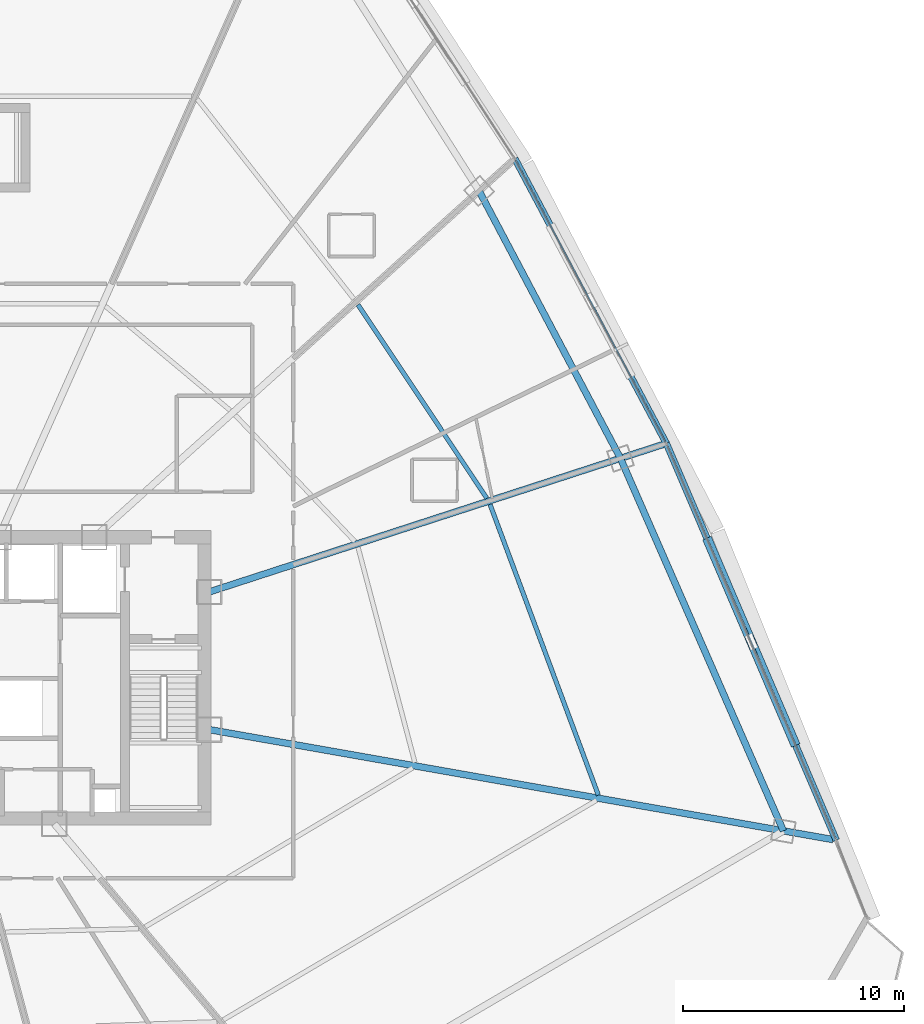
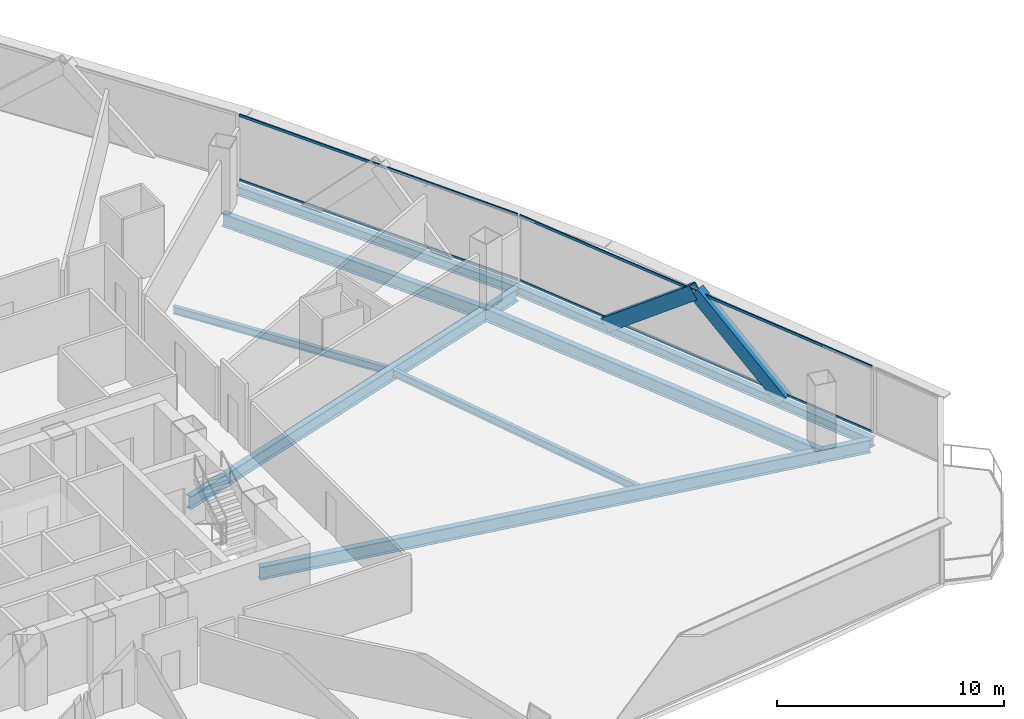
# One storey, part 23 of 37: 8 beams, 6 members, 2 elements without a shape of their own.
"""IFC4 building model written with IfcOpenShell, lengths in metres."""

from ifc_helpers import new_model, si_unit, direction, frame, origin, origin_2d, place, context, subcontext, project, spatial, hollow_rectangle, i_section, extrude, source, transform, mapped, material, layer, layer_set, material_profile, profile_set, type_object, element, aggregate, save


model = new_model("IFC4")

# Units and contexts
model_context = context("Model", 3, precision=1e-05, world=origin(), true_north=direction((0.0, 1.0)))
body_context = subcontext(model_context, "Body", "Model", "MODEL_VIEW")
ifc_project = project(units=[si_unit("LENGTHUNIT", "METRE"), si_unit("AREAUNIT", "SQUARE_METRE"), si_unit("VOLUMEUNIT", "CUBIC_METRE"), si_unit("PLANEANGLEUNIT", "RADIAN"), si_unit("MASSUNIT", "GRAM", prefix="KILO"), si_unit("THERMODYNAMICTEMPERATUREUNIT", "KELVIN"), si_unit("POWERUNIT", "WATT")], contexts=[model_context])

# Site, building, storey
site_placement = place(None, origin())
site = spatial("IfcSite", under=ifc_project, at=site_placement, CompositionType="ELEMENT")
building_placement = place(site_placement, origin())
building = spatial("IfcBuilding", under=site, at=building_placement, Name="Yunzhuo Pagoda Commons", CompositionType="ELEMENT")
storey_placement = place(building_placement, frame((0.0, 0.0, 84.97998046875)))
storey = spatial("IfcBuildingStorey", under=building, at=storey_placement, Name="L21", CompositionType="ELEMENT", Elevation=84.97998046875)

# Beams
ifc_material_1 = material(Name="Structural steel Q355B", Category="steel")
ifc_material_profile_1 = material_profile(ifc_material_1, i_section(OverallWidth=0.300048828125, OverallDepth=0.488037109375, WebThickness=0.010986328125, FlangeThickness=0.01806640625, at=origin_2d()), Name="Structural steel Q355B")
ifc_profile_set_1 = profile_set([ifc_material_profile_1], Name="Structural steel Q355B")
beam_type_1 = type_object("IfcBeamType", Name="B-SP1 Beam HM 488x300x11x18", PredefinedType="BEAM", material=ifc_profile_set_1)
shared_shape_1 = source(origin(), body_context, "Body", "SweptSolid", [
    extrude(i_section(OverallWidth=0.300048828125, OverallDepth=0.488037109375, WebThickness=0.010986328125, FlangeThickness=0.01806640625, at=origin_2d()), origin(), (0.0, 0.0, 1.0), 19.502685546875),
])
beam_1_placement = place(storey_placement, frame((88.742919921875, 26.515869140625, -0.50390625), z_axis=(-0.393662442568, 0.91925506869, 0.0), x_axis=(-0.91925506869, -0.393662442568, 0.0)))
element("IfcBeam", 1, at=beam_1_placement, inside=storey, type_object=beam_type_1, Name="L21 facade edge spandrel beam F2.1", PredefinedType="BEAM", context=body_context, shape_type="MappedRepresentation", body=[
    mapped(shared_shape_1, transform((0.0, 0.0, 0.0), scale=1.0)),
])
shared_shape_2 = source(origin(), body_context, "Body", "SweptSolid", [
    extrude(i_section(OverallWidth=0.300048828125, OverallDepth=0.488037109375, WebThickness=0.010986328125, FlangeThickness=0.01806640625, at=origin_2d()), origin(), (0.0, 0.0, 1.0), 14.572509765625),
])
beam_2_placement = place(storey_placement, frame((81.0654296875, 44.44384765625, -0.50390625), z_axis=(-0.469767169818, 0.882790352327, 0.0), x_axis=(-0.882790352327, -0.469767169818, 0.0)))
element("IfcBeam", 2, at=beam_2_placement, inside=storey, type_object=beam_type_1, Name="L21 facade edge spandrel beam F2.2", PredefinedType="BEAM", context=body_context, shape_type="MappedRepresentation", body=[
    mapped(shared_shape_2, transform((0.0, 0.0, 0.0), scale=1.0)),
])
ifc_material_profile_2 = material_profile(ifc_material_1, i_section(OverallWidth=0.300048828125, OverallDepth=0.699951171875, WebThickness=0.012939453125, FlangeThickness=0.02392578125, at=origin_2d()), Name="Structural steel Q355B")
ifc_profile_set_2 = profile_set([ifc_material_profile_2], Name="Structural steel Q355B")
beam_type_2 = type_object("IfcBeamType", Name="B-RG1 Beam HN 700x300x13x24", PredefinedType="BEAM", material=ifc_profile_set_2)
shared_shape_3 = source(origin(), body_context, "Body", "SweptSolid", [
    extrude(i_section(OverallWidth=0.300048828125, OverallDepth=0.699951171875, WebThickness=0.012939453125, FlangeThickness=0.02392578125, at=origin_2d()), origin(), (0.0, 0.0, 1.0), 18.37158203125),
])
beam_3_placement = place(storey_placement, frame((86.352783203125, 26.9375, -0.60986328125), z_axis=(-0.400729599795, 0.916196369698, 0.0), x_axis=(-0.916196369698, -0.400729599795, 0.0)))
element("IfcBeam", 3, at=beam_3_placement, inside=storey, type_object=beam_type_2, Name="L21 column-ring beam 5", PredefinedType="BEAM", context=body_context, shape_type="MappedRepresentation", body=[
    mapped(shared_shape_3, transform((0.0, 0.0, 0.0), scale=1.0)),
])
shared_shape_4 = source(origin(), body_context, "Body", "SweptSolid", [
    extrude(i_section(OverallWidth=0.300048828125, OverallDepth=0.699951171875, WebThickness=0.012939453125, FlangeThickness=0.02392578125, at=origin_2d()), origin(), (0.0, 0.0, 1.0), 13.66748046875),
])
beam_4_placement = place(storey_placement, frame((78.99072265625, 43.76953125, -0.60986328125), z_axis=(-0.467383716456, 0.88405455804, 0.0), x_axis=(-0.88405455804, -0.467383716456, 0.0)))
element("IfcBeam", 4, at=beam_4_placement, inside=storey, type_object=beam_type_2, Name="L21 column-ring beam 6", PredefinedType="BEAM", context=body_context, shape_type="MappedRepresentation", body=[
    mapped(shared_shape_4, transform((0.0, 0.0, 0.0), scale=1.0)),
])
shared_shape_5 = source(origin(), body_context, "Body", "SweptSolid", [
    extrude(i_section(OverallWidth=0.300048828125, OverallDepth=0.699951171875, WebThickness=0.012939453125, FlangeThickness=0.02392578125, at=origin_2d()), origin(), (0.0, 0.0, 1.0), 28.625),
])
beam_5_placement = place(storey_placement, frame((88.590087890625, 26.54296875, -0.60986328125), z_axis=(-0.984809134913, 0.173640340337, 0.0), x_axis=(-0.173640340337, -0.984809134913, 0.0)))
element("IfcBeam", 5, at=beam_5_placement, inside=storey, type_object=beam_type_2, Name="L21 radial floor girder F2C1", PredefinedType="BEAM", context=body_context, shape_type="MappedRepresentation", body=[
    mapped(shared_shape_5, transform((0.0, 0.0, 0.0), scale=1.0)),
])
shared_shape_6 = source(origin(), body_context, "Body", "SweptSolid", [
    extrude(i_section(OverallWidth=0.300048828125, OverallDepth=0.699951171875, WebThickness=0.012939453125, FlangeThickness=0.02392578125, at=origin_2d()), origin(), (0.0, 0.0, 1.0), 21.57373046875),
])
beam_6_placement = place(storey_placement, frame((80.917724609375, 44.3955078125, -0.60986328125), z_axis=(-0.951058432611, -0.309011096499, 0.0), x_axis=(0.309011096499, -0.951058432611, 0.0)))
element("IfcBeam", 6, at=beam_6_placement, inside=storey, type_object=beam_type_2, Name="L21 radial floor girder F2C2", PredefinedType="BEAM", context=body_context, shape_type="MappedRepresentation", body=[
    mapped(shared_shape_6, transform((0.0, 0.0, 0.0), scale=1.0)),
])
ifc_material_profile_3 = material_profile(ifc_material_1, i_section(OverallWidth=0.199951171875, OverallDepth=0.39990234375, WebThickness=0.008056640625, FlangeThickness=0.012939453125, at=origin_2d()), Name="Structural steel Q355B")
ifc_profile_set_3 = profile_set([ifc_material_profile_3], Name="Structural steel Q355B")
beam_type_3 = type_object("IfcBeamType", Name="B-JS1 Joist HN 400x200x8x13", PredefinedType="JOIST", material=ifc_profile_set_3)
shared_shape_7 = source(origin(), body_context, "Body", "SweptSolid", [
    extrude(i_section(OverallWidth=0.199951171875, OverallDepth=0.39990234375, WebThickness=0.008056640625, FlangeThickness=0.012939453125, at=origin_2d()), origin(), (0.0, 0.0, 1.0), 14.01904296875),
])
beam_7_placement = place(storey_placement, frame((77.992431640625, 28.55078125, -0.459716796875), z_axis=(-0.349168392993, 0.937059994523, 0.0), x_axis=(-0.937059994523, -0.349168392993, 0.0)))
element("IfcBeam", 7, at=beam_7_placement, inside=storey, type_object=beam_type_3, Name="L21 composite ring joist 2.5", PredefinedType="JOIST", context=body_context, shape_type="MappedRepresentation", body=[
    mapped(shared_shape_7, transform((0.0, 0.0, 0.0), scale=1.0)),
])
shared_shape_8 = source(origin(), body_context, "Body", "SweptSolid", [
    extrude(i_section(OverallWidth=0.199951171875, OverallDepth=0.39990234375, WebThickness=0.008056640625, FlangeThickness=0.012939453125, at=origin_2d()), origin(), (0.0, 0.0, 1.0), 10.50537109375),
])
beam_8_placement = place(storey_placement, frame((72.95361328125, 41.968994140625, -0.459716796875), z_axis=(-0.554523204193, 0.832168261839, 0.0), x_axis=(-0.832168261839, -0.554523204193, 0.0)))
element("IfcBeam", 8, at=beam_8_placement, inside=storey, type_object=beam_type_3, Name="L21 composite ring joist 2.6", PredefinedType="JOIST", context=body_context, shape_type="MappedRepresentation", body=[
    mapped(shared_shape_8, transform((0.0, 0.0, 0.0), scale=1.0)),
])

# Members
ifc_material_2 = material(Name="Structural steel Q420B", Category="steel")
ifc_material_profile_4 = material_profile(ifc_material_2, hollow_rectangle(XDim=0.419921875, YDim=0.719970703125, WallThickness=0.028076171875, at=origin_2d()), Name="Structural steel Q420B")
ifc_profile_set_4 = profile_set([ifc_material_profile_4], Name="Structural steel Q420B")
member_type_1 = type_object("IfcMemberType", Name="M-DL1 Brace BOX 720x420x28", PredefinedType="BRACE", material=ifc_profile_set_4)
shared_shape_9 = source(origin(), body_context, "Body", "SweptSolid", [
    extrude(hollow_rectangle(XDim=0.419921875, YDim=0.719970703125, WallThickness=0.028076171875, at=origin_2d()), origin(), (0.0, 0.0, 1.0), 6.181640625),
])
for number, where, z_axis, x_axis, name in (
    (9, (86.823486328125, 30.997802734375, -0.260009765625), (-0.310499435557, 0.725025265576, 0.614758867195), (-0.919248598495, -0.393677551006, 0.0), "L21 facade diamond brace F2.1L"),
    (10, (82.984619140625, 39.961669921875, -0.260009765625), (0.310499435557, -0.725025265576, 0.614758867195), (0.919248598495, 0.393677551006, 0.0), "L21 facade diamond brace F2.1R"),
):
    element("IfcMember", number, at=place(storey_placement, frame(where, z_axis=z_axis, x_axis=x_axis)), inside=storey, type_object=member_type_1, Name=name, PredefinedType="BRACE", context=body_context, shape_type="MappedRepresentation", body=[
        mapped(shared_shape_9, transform((0.0, 0.0, 0.0), scale=1.0)),
    ])

# Curtain wall, members
ifc_material_3 = material(Name="Anodized aluminium 6063-T6", Category="aluminium")
ifc_layer = layer(ifc_material_3, 0.1650390625)
ifc_layer_set = layer_set([ifc_layer], Name="Anodized aluminium 6063-T6")
curtain_wall_type = type_object("IfcCurtainWallType", Name="CW-LOW Low-Zone Ribbon Curtain Wall", PredefinedType="NOTDEFINED", material=ifc_layer_set)
curtain_wall_1_placement = place(storey_placement, origin())
curtain_wall_1 = element("IfcCurtainWall", 11, at=curtain_wall_1_placement, inside=storey, type_object=curtain_wall_type, Name="L21 curtain wall CW-L21-F2B2", PredefinedType="NOTDEFINED")
ifc_material_profile_5 = material_profile(ifc_material_3, hollow_rectangle(XDim=0.06005859375, YDim=0.139892578125, WallThickness=0.00341796875, at=origin_2d()), Name="Anodized aluminium 6063-T6")
ifc_profile_set_5 = profile_set([ifc_material_profile_5], Name="Anodized aluminium 6063-T6")
member_type_2 = type_object("IfcMemberType", Name="CW-LOW-T Transom RHS 140x60x3.5", PredefinedType="USERDEFINED", material=ifc_profile_set_5)
shared_shape_10 = source(origin(), body_context, "Body", "SweptSolid", [
    extrude(hollow_rectangle(XDim=0.06005859375, YDim=0.139892578125, WallThickness=0.00341796875, at=origin_2d()), origin(), (0.0, 0.0, 1.0), 19.37255859375),
])
member_1_placement = place(storey_placement, frame((88.71728515625, 26.57568359375, 0.030029296875), z_axis=(-0.39367592675, 0.919249294097, 0.0), x_axis=(-0.919249294097, -0.39367592675, 0.0)))
member_1 = element("IfcMember", 12, at=member_1_placement, type_object=member_type_2, Name="CW transom 1.1", ObjectType="TRANSOM", PredefinedType="USERDEFINED", context=body_context, shape_type="MappedRepresentation", body=[
    mapped(shared_shape_10, transform((0.0, 0.0, 0.0), scale=1.0)),
])
member_2_placement = place(storey_placement, frame((88.71728515625, 26.57568359375, 3.510009765625), z_axis=(-0.39367592675, 0.919249294097, 0.0), x_axis=(-0.919249294097, -0.39367592675, 0.0)))
member_2 = element("IfcMember", 13, at=member_2_placement, type_object=member_type_2, Name="CW transom 1.2", ObjectType="TRANSOM", PredefinedType="USERDEFINED", context=body_context, shape_type="MappedRepresentation", body=[
    mapped(shared_shape_10, transform((0.0, 0.0, 0.0), scale=1.0)),
])
aggregate(curtain_wall_1, [member_1, member_2])

curtain_wall_2_placement = place(storey_placement, origin())
curtain_wall_2 = element("IfcCurtainWall", 14, at=curtain_wall_2_placement, inside=storey, type_object=curtain_wall_type, Name="L21 curtain wall CW-L21-F2B3", PredefinedType="NOTDEFINED")
shared_shape_11 = source(origin(), body_context, "Body", "SweptSolid", [
    extrude(hollow_rectangle(XDim=0.06005859375, YDim=0.139892578125, WallThickness=0.00341796875, at=origin_2d()), origin(), (0.0, 0.0, 1.0), 14.442626953125),
])
member_3_placement = place(storey_placement, frame((81.03466796875, 44.5009765625, 0.030029296875), z_axis=(-0.46974837333, 0.882800354414, 0.0), x_axis=(-0.882800354414, -0.46974837333, 0.0)))
member_3 = element("IfcMember", 15, at=member_3_placement, type_object=member_type_2, Name="CW transom 1.1", ObjectType="TRANSOM", PredefinedType="USERDEFINED", context=body_context, shape_type="MappedRepresentation", body=[
    mapped(shared_shape_11, transform((0.0, 0.0, 0.0), scale=1.0)),
])
member_4_placement = place(storey_placement, frame((81.03466796875, 44.5009765625, 3.510009765625), z_axis=(-0.46974837333, 0.882800354414, 0.0), x_axis=(-0.882800354414, -0.46974837333, 0.0)))
member_4 = element("IfcMember", 16, at=member_4_placement, type_object=member_type_2, Name="CW transom 1.2", ObjectType="TRANSOM", PredefinedType="USERDEFINED", context=body_context, shape_type="MappedRepresentation", body=[
    mapped(shared_shape_11, transform((0.0, 0.0, 0.0), scale=1.0)),
])
aggregate(curtain_wall_2, [member_3, member_4])

save(model, "model.ifc")
